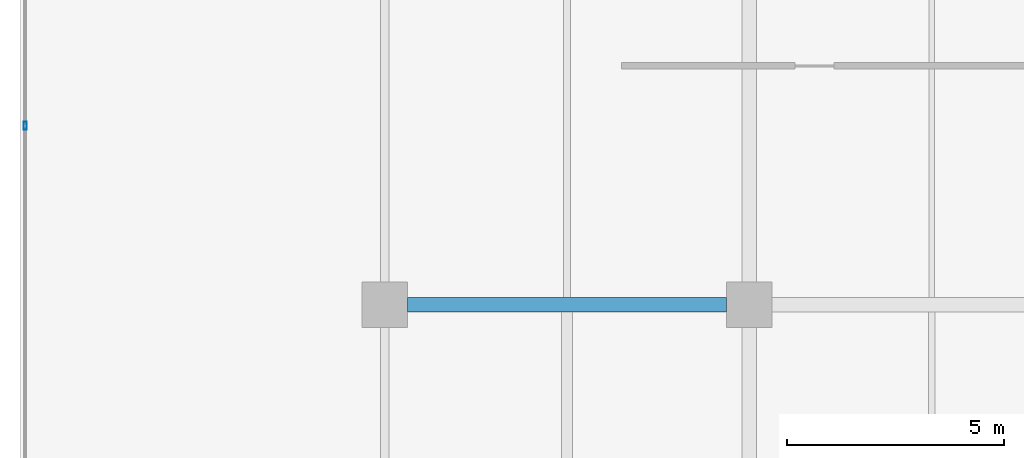
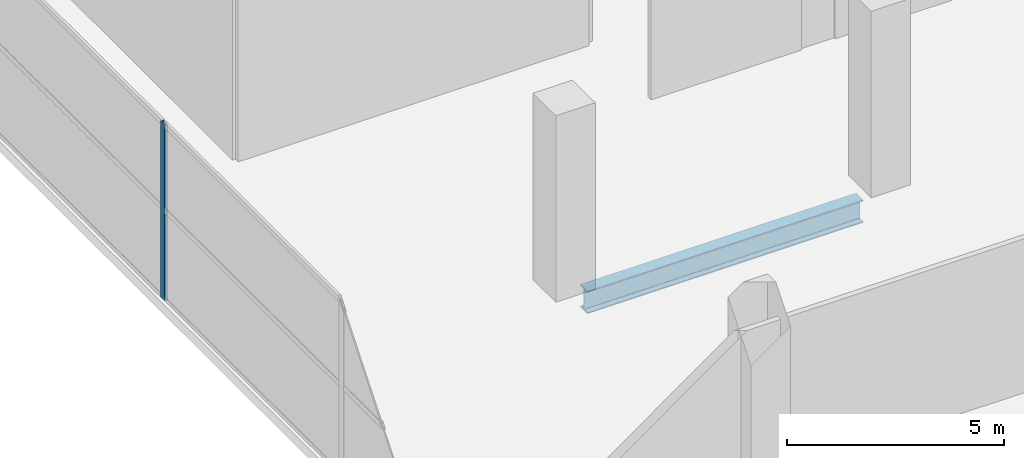
# One storey, part 11 of 40: 1 beam, 1 member, 1 element without a shape of its own.
"""IFC4 building model written with IfcOpenShell, lengths in metres."""

from ifc_helpers import new_model, si_unit, direction, frame, origin, origin_2d, place, context, subcontext, project, spatial, hollow_rectangle, i_section, extrude, material, layer, layer_set, material_profile, profile_set, type_object, element, aggregate, save


model = new_model("IFC4")

# Units and contexts
model_context = context("Model", 3, precision=1e-05, world=origin(), true_north=direction((0.0, 1.0)))
body_context = subcontext(model_context, "Body", "Model", "MODEL_VIEW")
ifc_project = project(units=[si_unit("LENGTHUNIT", "METRE"), si_unit("AREAUNIT", "SQUARE_METRE"), si_unit("VOLUMEUNIT", "CUBIC_METRE"), si_unit("PLANEANGLEUNIT", "RADIAN"), si_unit("MASSUNIT", "GRAM", prefix="KILO")], contexts=[model_context])

# Site, building, storey
site_placement = place(None, origin())
site = spatial("IfcSite", under=ifc_project, at=site_placement, CompositionType="ELEMENT")
building_placement = place(site_placement, origin())
building = spatial("IfcBuilding", under=site, at=building_placement, Name="Maruvema Waterfront Hotel and Observation Tower", CompositionType="ELEMENT")
storey_placement = place(building_placement, frame((0.0, 0.0, 5.60009765625)))
storey = spatial("IfcBuildingStorey", under=building, at=storey_placement, Name="L01", CompositionType="ELEMENT", Elevation=5.60009765625)

# Curtain wall, member
ifc_material_1 = material(Name="Anodised bronze aluminium and solar-control low-E IGU", Category="aluminium")
ifc_layer = layer(ifc_material_1, 0.159912109375, Name="Podium Waterfront Storefront Curtain Wall System CW-01")
ifc_layer_set = layer_set([ifc_layer], Name="Anodised bronze aluminium and solar-control low-E IGU")
curtain_wall_type = type_object("IfcCurtainWallType", Name="Podium Waterfront Storefront Curtain Wall System CW-01", PredefinedType="USERDEFINED", material=ifc_layer_set)
curtain_wall_placement = place(storey_placement, origin())
curtain_wall = element("IfcCurtainWall", 1, at=curtain_wall_placement, inside=storey, type_object=curtain_wall_type, Name="L01 Curtain Wall CW-L01-W", ObjectType="UNITISED CURTAIN WALL", PredefinedType="USERDEFINED")
ifc_material_2 = material(Name="Anodised architectural bronze aluminium", Category="aluminium")
ifc_material_profile_1 = material_profile(ifc_material_2, hollow_rectangle(XDim=0.070068359375, YDim=0.18994140625, WallThickness=0.00390625, at=origin_2d()), Name="ALU-M70x190")
ifc_profile_set_1 = profile_set([ifc_material_profile_1], Name="Anodised architectural bronze aluminium")
member_type = type_object("IfcMemberType", Name="Podium Storefront Heavy Mullion ALU-M70x190", PredefinedType="MULLION", material=ifc_profile_set_1)
member_placement = place(storey_placement, frame((0.1201171875, 31.1201171875, 0.0), z_axis=(0.0, 0.0, 1.0), x_axis=(1.0, 0.0, 0.0)))
member = element("IfcMember", 2, at=member_placement, type_object=member_type, Name="CW-01 mullion 3", PredefinedType="MULLION", context=body_context, shape_type="SweptSolid", body=[
    extrude(hollow_rectangle(XDim=0.070068359375, YDim=0.18994140625, WallThickness=0.00390625, at=origin_2d()), origin(), (0.0, 0.0, 1.0), 4.969970703125),
])
aggregate(curtain_wall, [member])

# Beam
ifc_material_3 = material(Name="Steel ASTM A572 Grade 50", Category="steel")
ifc_material_profile_2 = material_profile(ifc_material_3, i_section(OverallWidth=0.3291015625, OverallDepth=0.635009765625, WebThickness=0.017822265625, FlangeThickness=0.031005859375, FilletRadius=0.01806640625, at=origin_2d()), Name="W610x241.0")
ifc_profile_set_2 = profile_set([ifc_material_profile_2], Name="Steel ASTM A572 Grade 50")
beam_type = type_object("IfcBeamType", Name="Primary Floor Girder W610x241.0", PredefinedType="BEAM", material=ifc_profile_set_2)
beam_placement = place(storey_placement, frame((8.925048828125, 27.0, -0.59765625), z_axis=(1.0, 0.0, 0.0), x_axis=(0.0, 1.0, 0.0)))
element("IfcBeam", 3, at=beam_placement, inside=storey, type_object=beam_type, Name="L01 Floor Girder EW-20", PredefinedType="BEAM", context=body_context, shape_type="SweptSolid", body=[
    extrude(i_section(OverallWidth=0.3291015625, OverallDepth=0.635009765625, WebThickness=0.017822265625, FlangeThickness=0.031005859375, FilletRadius=0.01806640625, at=origin_2d()), origin(), (0.0, 0.0, 1.0), 7.349853515625),
])

save(model, "model.ifc")
